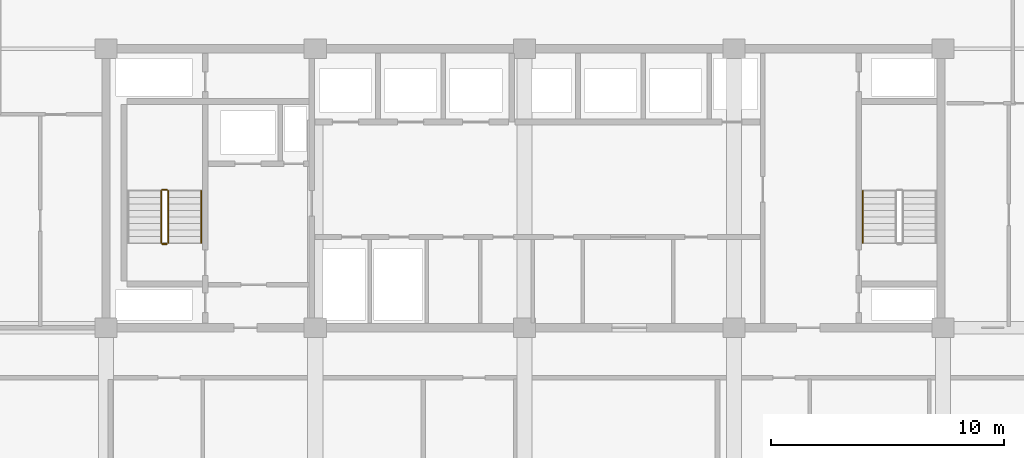
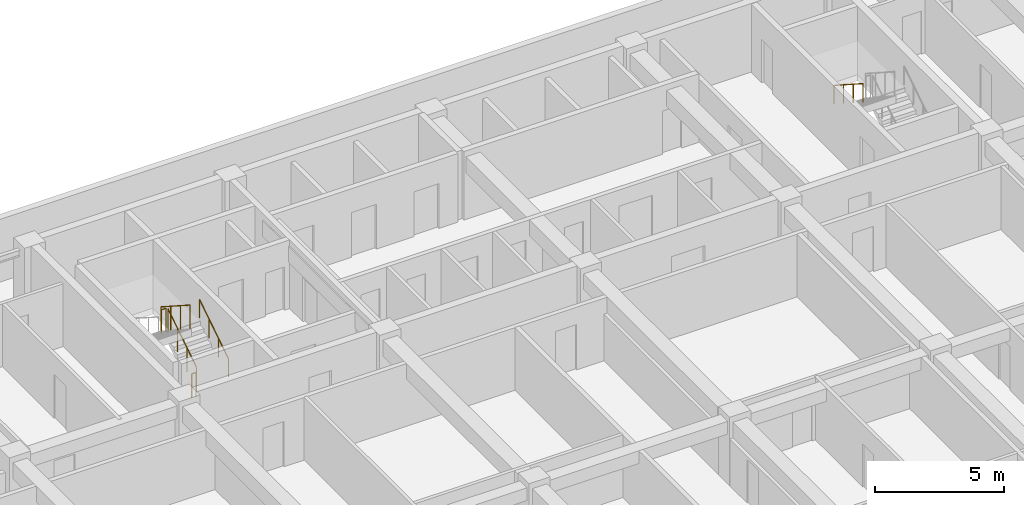
# One storey, part 21 of 24: 6 railings.
"""IFC4 building model written with IfcOpenShell, lengths in metres."""

from ifc_helpers import new_model, si_unit, direction, frame, origin, origin_2d, place, context, subcontext, project, spatial, circle, extrude, material, type_object, element, save


model = new_model("IFC4")

# Units and contexts
model_context = context("Model", 3, precision=1e-05, world=origin(), true_north=direction((0.0, 1.0)))
body_context = subcontext(model_context, "Body", "Model", "MODEL_VIEW")
ifc_project = project(units=[si_unit("LENGTHUNIT", "METRE"), si_unit("AREAUNIT", "SQUARE_METRE"), si_unit("VOLUMEUNIT", "CUBIC_METRE"), si_unit("PLANEANGLEUNIT", "RADIAN"), si_unit("MASSUNIT", "GRAM", prefix="KILO")], contexts=[model_context])

# Site, building, storey
site_placement = place(None, origin())
site = spatial("IfcSite", under=ifc_project, at=site_placement, CompositionType="ELEMENT")
building_placement = place(site_placement, origin())
building = spatial("IfcBuilding", under=site, at=building_placement, Name="Korimba Cascade Residences", CompositionType="ELEMENT")
storey_placement = place(building_placement, frame((0.0, 0.0, 66.25)))
storey = spatial("IfcBuildingStorey", under=building, at=storey_placement, Name="L18", CompositionType="ELEMENT", Elevation=66.25)

# Railings
ifc_material_1 = material(Name="Painted Steel Stairwell Guardrail", Category="steel")
railing_type_1 = type_object("IfcRailingType", Name="RLG-ST-GD1150", PredefinedType="GUARDRAIL", material=ifc_material_1)
railing_1_placement = place(storey_placement, frame((84.77001953125, 22.050048828125, 0.1806640625)))
element("IfcRailing", 1, at=railing_1_placement, inside=storey, type_object=railing_type_1, Name="L18 ST-E1 stair guard 1", PredefinedType="GUARDRAIL", context=body_context, shape_type="SweptSolid", body=[
    extrude(circle(Radius=0.02392578125, at=origin_2d()), frame((0.0, 0.0, 1.1259765625), z_axis=(0.0, 0.840436612492, 0.541909863706), x_axis=(-1.0, 0.0, 0.0)), (0.0, 0.0, 1.0), 2.665283203125),
    extrude(circle(Radius=0.02099609375, at=origin_2d()), origin(), (0.0, 0.0, 1.0), 1.101806640625),
    extrude(circle(Radius=0.02099609375, at=origin_2d()), frame((0.0, 0.74658203125, 0.4814453125)), (0.0, 0.0, 1.0), 1.101806640625),
    extrude(circle(Radius=0.02099609375, at=origin_2d()), frame((0.0, 1.493408203125, 0.962890625)), (0.0, 0.0, 1.0), 1.101806640625),
    extrude(circle(Radius=0.02099609375, at=origin_2d()), frame((0.0, 2.239990234375, 1.4443359375)), (0.0, 0.0, 1.0), 1.101806640625),
])
railing_2_placement = place(storey_placement, frame((84.719970703125, 24.340087890625, 1.625)))
element("IfcRailing", 2, at=railing_2_placement, inside=storey, type_object=railing_type_1, Name="L18 ST-E1 stair guard 2", PredefinedType="GUARDRAIL", context=body_context, shape_type="SweptSolid", body=[
    extrude(circle(Radius=0.02392578125, at=origin_2d()), frame((0.0, 0.0, 1.1259765625), z_axis=(-1.0, 0.0, 0.0), x_axis=(0.0, -1.0, 0.0)), (0.0, 0.0, 1.0), 0.199951171875),
    extrude(circle(Radius=0.02099609375, at=origin_2d()), origin(), (0.0, 0.0, 1.0), 1.101806640625),
    extrude(circle(Radius=0.02099609375, at=origin_2d()), frame((-0.199951171875, 0.0, 0.0)), (0.0, 0.0, 1.0), 1.101806640625),
])
railing_3_placement = place(storey_placement, frame((84.469970703125, 24.2900390625, 1.8056640625)))
element("IfcRailing", 3, at=railing_3_placement, inside=storey, type_object=railing_type_1, Name="L18 ST-E1 stair guard 3", PredefinedType="GUARDRAIL", context=body_context, shape_type="SweptSolid", body=[
    extrude(circle(Radius=0.02392578125, at=origin_2d()), frame((0.0, 0.0, 1.1259765625), z_axis=(0.0, -0.840436612492, 0.541909863706), x_axis=(1.0, 0.0, 0.0)), (0.0, 0.0, 1.0), 2.665283203125),
    extrude(circle(Radius=0.02099609375, at=origin_2d()), origin(), (0.0, 0.0, 1.0), 1.101806640625),
    extrude(circle(Radius=0.02099609375, at=origin_2d()), frame((0.0, -0.74658203125, 0.4814453125)), (0.0, 0.0, 1.0), 1.101806640625),
    extrude(circle(Radius=0.02099609375, at=origin_2d()), frame((0.0, -1.493408203125, 0.962890625)), (0.0, 0.0, 1.0), 1.101806640625),
    extrude(circle(Radius=0.02099609375, at=origin_2d()), frame((0.0, -2.239990234375, 1.4443359375)), (0.0, 0.0, 1.0), 1.101806640625),
])
railing_4_placement = place(storey_placement, frame((84.719970703125, 22.0, 0.0)))
element("IfcRailing", 4, at=railing_4_placement, inside=storey, type_object=railing_type_1, Name="L18 ST-E1 stair guard 4", PredefinedType="GUARDRAIL", context=body_context, shape_type="SweptSolid", body=[
    extrude(circle(Radius=0.02392578125, at=origin_2d()), frame((0.0, 0.0, 1.1259765625), z_axis=(-1.0, 0.0, 0.0), x_axis=(0.0, -1.0, 0.0)), (0.0, 0.0, 1.0), 0.199951171875),
    extrude(circle(Radius=0.02099609375, at=origin_2d()), origin(), (0.0, 0.0, 1.0), 1.101806640625),
    extrude(circle(Radius=0.02099609375, at=origin_2d()), frame((-0.199951171875, 0.0, 0.0)), (0.0, 0.0, 1.0), 1.101806640625),
])
ifc_material_2 = material(Name="Brushed Stainless Steel Handrail", Category="steel")
railing_type_2 = type_object("IfcRailingType", Name="RLG-ST-HR900", PredefinedType="HANDRAIL", material=ifc_material_2)
railing_5_placement = place(storey_placement, frame((86.18994140625, 22.050048828125, 0.364990234375)))
element("IfcRailing", 5, at=railing_5_placement, inside=storey, type_object=railing_type_2, Name="L18 ST-E1 stair handrail 1", PredefinedType="HANDRAIL", context=body_context, shape_type="SweptSolid", body=[
    extrude(circle(Radius=0.02392578125, at=origin_2d()), frame((0.0, 0.0, 0.8759765625), z_axis=(0.0, 0.840436612492, 0.541909863706), x_axis=(-1.0, 0.0, 0.0)), (0.0, 0.0, 1.0), 2.665283203125),
    extrude(circle(Radius=0.02099609375, at=origin_2d()), origin(), (0.0, 0.0, 1.0), 0.851806640625),
    extrude(circle(Radius=0.02099609375, at=origin_2d()), frame((0.0, 0.74658203125, 0.4814453125)), (0.0, 0.0, 1.0), 0.851806640625),
    extrude(circle(Radius=0.02099609375, at=origin_2d()), frame((0.0, 1.493408203125, 0.962890625)), (0.0, 0.0, 1.0), 0.851806640625),
    extrude(circle(Radius=0.02099609375, at=origin_2d()), frame((0.0, 2.239990234375, 1.4443359375)), (0.0, 0.0, 1.0), 0.851806640625),
])
railing_6_placement = place(storey_placement, frame((114.64990234375, 24.2900390625, 1.989990234375)))
element("IfcRailing", 6, at=railing_6_placement, inside=storey, type_object=railing_type_2, Name="L18 ST-E2 stair handrail 2", PredefinedType="HANDRAIL", context=body_context, shape_type="SweptSolid", body=[
    extrude(circle(Radius=0.02392578125, at=origin_2d()), frame((0.0, 0.0, 0.8759765625), z_axis=(0.0, -0.840436612492, 0.541909863706), x_axis=(1.0, 0.0, 0.0)), (0.0, 0.0, 1.0), 2.665283203125),
    extrude(circle(Radius=0.02099609375, at=origin_2d()), origin(), (0.0, 0.0, 1.0), 0.851806640625),
    extrude(circle(Radius=0.02099609375, at=origin_2d()), frame((0.0, -0.74658203125, 0.4814453125)), (0.0, 0.0, 1.0), 0.851806640625),
    extrude(circle(Radius=0.02099609375, at=origin_2d()), frame((0.0, -1.493408203125, 0.962890625)), (0.0, 0.0, 1.0), 0.851806640625),
    extrude(circle(Radius=0.02099609375, at=origin_2d()), frame((0.0, -2.239990234375, 1.4443359375)), (0.0, 0.0, 1.0), 0.851806640625),
])

save(model, "model.ifc")
